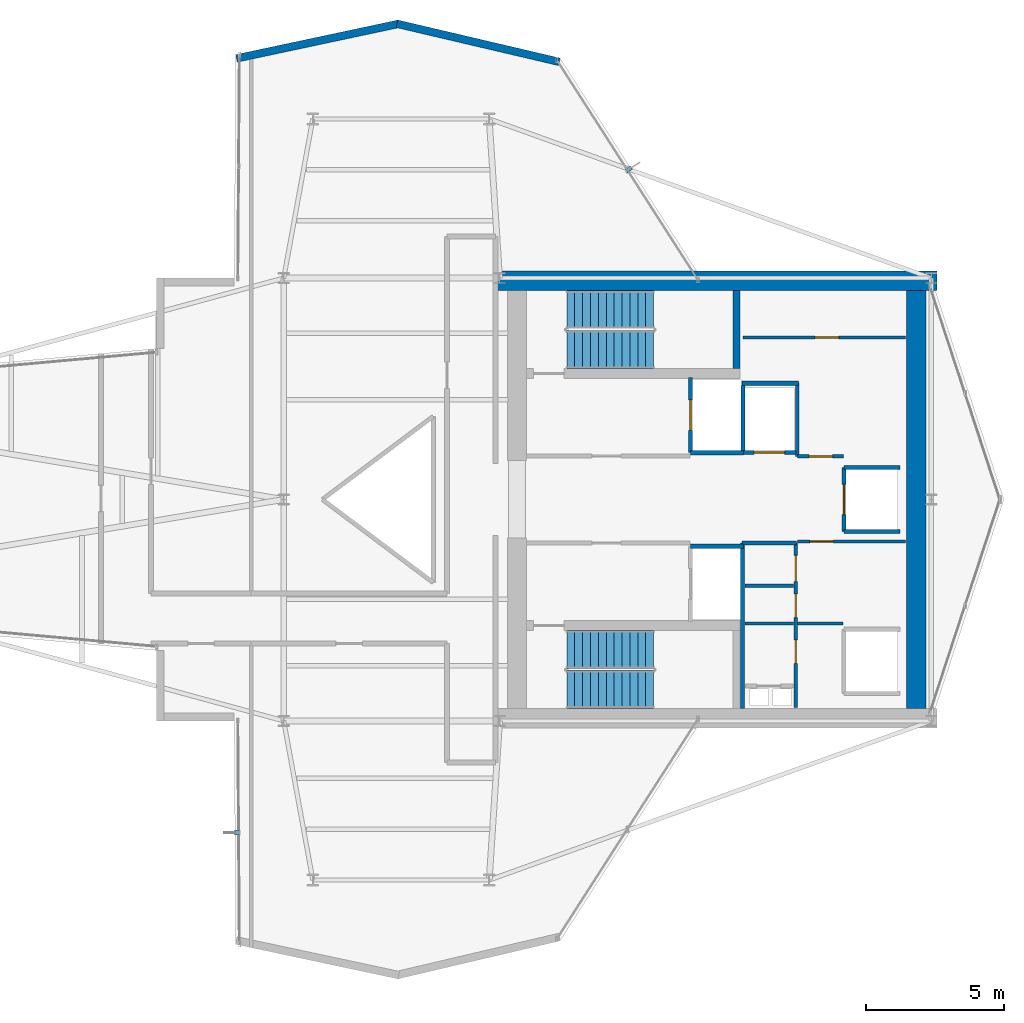
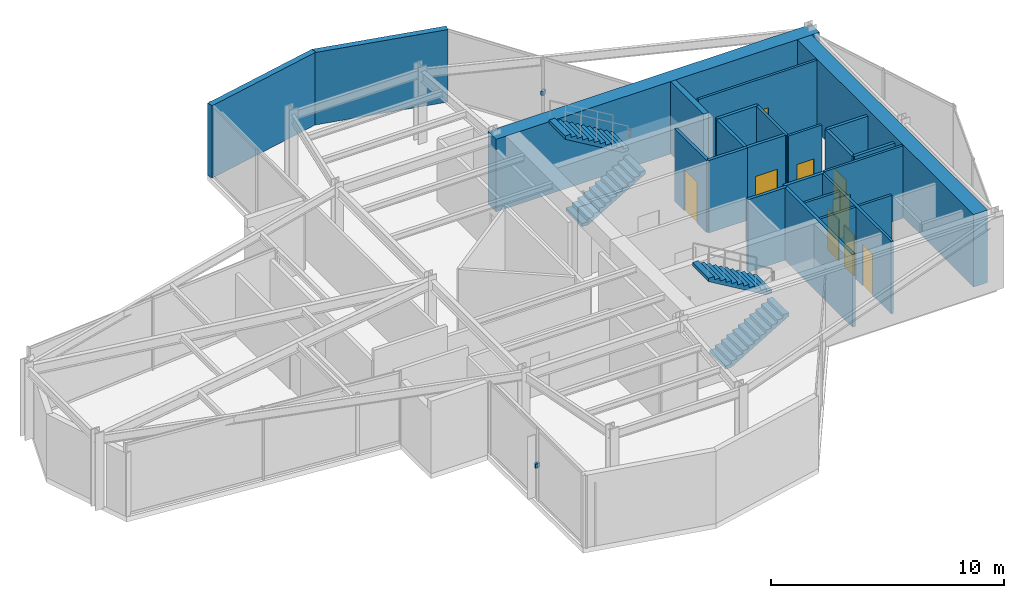
# One storey, part 22 of 23: 24 walls, 9 doors, 4 stair flights, 2 discrete accessories, 9 openings, 2 elements without a shape of their own.
"""IFC4 building model written with IfcOpenShell, lengths in metres."""

from ifc_helpers import new_model, si_unit, direction, frame, frame_2d, origin, origin_2d, place, context, subcontext, project, spatial, polyline, rectangle, outline, extrude, material, layer, layer_set, type_object, element, fill, aggregate, save


model = new_model("IFC4")

# Units and contexts
model_context = context("Model", 3, precision=1e-05, world=origin(), true_north=direction((0.0, 1.0)))
body_context = subcontext(model_context, "Body", "Model", "MODEL_VIEW")
ifc_project = project(units=[si_unit("LENGTHUNIT", "METRE"), si_unit("AREAUNIT", "SQUARE_METRE"), si_unit("VOLUMEUNIT", "CUBIC_METRE"), si_unit("PLANEANGLEUNIT", "RADIAN"), si_unit("MASSUNIT", "GRAM", prefix="KILO")], contexts=[model_context])

# Site, building, storey
site_placement = place(None, origin())
site = spatial("IfcSite", under=ifc_project, at=site_placement, CompositionType="ELEMENT")
building_placement = place(site_placement, origin())
building = spatial("IfcBuilding", under=site, at=building_placement, Name="Veymaron Broadcast Tower", CompositionType="ELEMENT")
storey_placement = place(building_placement, frame((0.0, 0.0, 191.85009765625)))
storey = spatial("IfcBuildingStorey", under=building, at=storey_placement, Name="L44", CompositionType="ELEMENT", Elevation=191.85009765625)

# Walls
ifc_material_1 = material(Name="Precast concrete C40/50", Category="concrete")
ifc_layer_1 = layer(ifc_material_1, 0.280029296875)
ifc_layer_set_1 = layer_set([ifc_layer_1], Name="Precast concrete C40/50")
wall_type_1 = type_object("IfcWallType", Name="WALL-EXT-280", PredefinedType="STANDARD", material=ifc_layer_set_1)
wall_1_placement = place(storey_placement, frame((41.15478515625, 39.813720703125, 0.0), z_axis=(0.0, 0.0, 1.0), x_axis=(-0.973574347184, 0.228370292517, 0.0)))
element("IfcWall", 1, at=wall_1_placement, inside=storey, type_object=wall_type_1, Name="L44 notched corner facade pier 6-1", PredefinedType="STANDARD", context=body_context, shape_type="SweptSolid", body=[
    extrude(rectangle(XDim=6.02099609375, YDim=0.280029296875, at=frame_2d((3.010498046875, 0.0))), origin(), (0.0, 0.0, 1.0), 3.789794921875),
])
wall_2_placement = place(storey_placement, frame((35.354248046875, 41.18798828125, 0.0), z_axis=(0.0, 0.0, 1.0), x_axis=(-0.978010564176, -0.208555355626, 0.0)))
element("IfcWall", 2, at=wall_2_placement, inside=storey, type_object=wall_type_1, Name="L44 notched corner facade pier 7-1", PredefinedType="STANDARD", context=body_context, shape_type="SweptSolid", body=[
    extrude(rectangle(XDim=5.99365234375, YDim=0.280029296875, at=frame_2d((2.996826171875, 0.0))), origin(), (0.0, 0.0, 1.0), 3.789794921875),
])

# Wall, opening, door
ifc_material_2 = material(Name="Gypsum fireboard and steel stud framing", Category="steel")
ifc_layer_2 = layer(ifc_material_2, 0.14990234375)
ifc_layer_set_2 = layer_set([ifc_layer_2], Name="Gypsum fireboard and steel stud framing")
wall_type_2 = type_object("IfcWallType", Name="WALL-FIRE-150", PredefinedType="PARTITIONING", material=ifc_layer_set_2)
wall_3_placement = place(storey_placement, frame((45.89501953125, 25.68994140625, 0.0), z_axis=(0.0, 0.0, 1.0), x_axis=(0.0, 1.0, 0.0)))
wall_3 = element("IfcWall", 3, at=wall_3_placement, inside=storey, type_object=wall_type_2, Name="L44 partition IW-L44-SHW-FFL-1", PredefinedType="PARTITIONING", context=body_context, shape_type="SweptSolid", body=[
    extrude(rectangle(XDim=2.719970703125, YDim=0.14990234375, at=frame_2d((1.35986328125, 0.0))), origin(), (0.0, 0.0, 1.0), 3.789794921875),
])
opening_1_placement = place(wall_3_placement, frame((0.81005859375, 0.0, 0.0)))
opening_1 = element("IfcOpeningElement", 4, at=opening_1_placement, cuts=wall_3, Name="Opening LD", PredefinedType="OPENING", context=body_context, shape_type="SweptSolid", body=[
    extrude(rectangle(XDim=1.10009765625, YDim=2.14990234375, at=frame_2d((0.550048828125, 1.074951171875))), frame((0.0, 0.0849609375, 0.0), z_axis=(0.0, -1.0, 0.0), x_axis=(1.0, 0.0, 0.0)), (0.0, 0.0, 1.0), 0.169921875),
])
ifc_material_3 = material(Name="Brushed stainless steel AISI 304", Category="steel")
door_type_1 = type_object("IfcDoorType", Name="DOOR-LIFT-1100", OperationType="DOUBLE_DOOR_SLIDING", PredefinedType="DOOR", material=ifc_material_3)
door_1_placement = place(opening_1_placement, frame((1.10009765625, 0.0, 0.0), z_axis=(0.0, 0.0, 1.0), x_axis=(-1.0, 0.0, 0.0)))
door_1 = element("IfcDoor", 5, at=door_1_placement, inside=storey, type_object=door_type_1, Name="L44 door LD-L44-FFL-1", OperationType="DOUBLE_DOOR_SLIDING", OverallHeight=2.14990234375, OverallWidth=1.10009765625, PredefinedType="DOOR", context=body_context, shape_type="SweptSolid", body=[
    extrude(rectangle(XDim=1.10009765625, YDim=2.14990234375, at=frame_2d((0.550048828125, 1.074951171875))), frame((0.0, 0.02490234375, 0.0), z_axis=(0.0, -1.0, 0.0), x_axis=(1.0, 0.0, 0.0)), (0.0, 0.0, 1.0), 0.050048828125),
])
fill(opening_1, door_1)

# Walls
for number, where, z_axis, x_axis, name in (
    (6, (45.89501953125, 25.68994140625, 0.0), (0.0, 0.0, 1.0), (1.0, 0.0, 0.0), "L44 partition IW-L44-SHS-FFL-1"),
    (7, (45.89501953125, 22.31005859375, 0.0), (0.0, 0.0, 1.0), (1.0, 0.0, 0.0), "L44 partition IW-L44-SHN-FFL-2"),
):
    element("IfcWall", number, at=place(storey_placement, frame(where, z_axis=z_axis, x_axis=x_axis)), inside=storey, type_object=wall_type_2, Name=name, PredefinedType="PARTITIONING", context=body_context, shape_type="SweptSolid", body=[
        extrude(rectangle(XDim=1.9150390625, YDim=0.14990234375, at=frame_2d((0.95751953125, 0.0))), origin(), (0.0, 0.0, 1.0), 3.789794921875),
    ])

# Wall, opening, door
wall_4_placement = place(storey_placement, frame((47.7900390625, 25.695068359375, 0.0), z_axis=(0.0, 0.0, 1.0), x_axis=(1.0, 0.0, 0.0)))
wall_4 = element("IfcWall", 8, at=wall_4_placement, inside=storey, type_object=wall_type_2, Name="L44 partition IW-L44-SHS-SL-1", PredefinedType="PARTITIONING", context=body_context, shape_type="SweptSolid", body=[
    extrude(rectangle(XDim=1.919921875, YDim=0.14990234375, at=frame_2d((0.9599609375, 0.0))), origin(), (0.0, 0.0, 1.0), 3.789794921875),
])
opening_2_placement = place(wall_4_placement, frame((0.409912109375, 0.0, 0.0)))
opening_2 = element("IfcOpeningElement", 9, at=opening_2_placement, cuts=wall_4, Name="Opening LD", PredefinedType="OPENING", context=body_context, shape_type="SweptSolid", body=[
    extrude(rectangle(XDim=1.10009765625, YDim=2.14990234375, at=frame_2d((0.550048828125, 1.074951171875))), frame((0.0, 0.0849609375, 0.0), z_axis=(0.0, -1.0, 0.0), x_axis=(1.0, 0.0, 0.0)), (0.0, 0.0, 1.0), 0.169921875),
])
door_2_placement = place(opening_2_placement, frame((1.10009765625, 0.0, 0.0), z_axis=(0.0, 0.0, 1.0), x_axis=(-1.0, 0.0, 0.0)))
door_2 = element("IfcDoor", 10, at=door_2_placement, inside=storey, type_object=door_type_1, Name="L44 door LD-L44-SL-1", OperationType="DOUBLE_DOOR_SLIDING", OverallHeight=2.14990234375, OverallWidth=1.10009765625, PredefinedType="DOOR", context=body_context, shape_type="SweptSolid", body=[
    extrude(rectangle(XDim=1.10009765625, YDim=2.14990234375, at=frame_2d((0.550048828125, 1.074951171875))), frame((0.0, 0.02490234375, 0.0), z_axis=(0.0, -1.0, 0.0), x_axis=(1.0, 0.0, 0.0)), (0.0, 0.0, 1.0), 0.050048828125),
])
fill(opening_2, door_2)

# Wall
wall_5_placement = place(storey_placement, frame((47.7900390625, 25.695068359375, 0.0), z_axis=(0.0, 0.0, 1.0), x_axis=(0.0, 1.0, 0.0)))
element("IfcWall", 11, at=wall_5_placement, inside=storey, type_object=wall_type_2, Name="L44 partition IW-L44-SHW-SL-1", PredefinedType="PARTITIONING", context=body_context, shape_type="SweptSolid", body=[
    extrude(rectangle(XDim=2.4150390625, YDim=0.14990234375, at=frame_2d((1.20751953125, 0.0))), origin(), (0.0, 0.0, 1.0), 3.789794921875),
])

# Wall, opening, door
wall_6_placement = place(storey_placement, frame((51.445068359375, 22.840087890625, 0.0), z_axis=(0.0, 0.0, 1.0), x_axis=(0.0, 1.0, 0.0)))
wall_6 = element("IfcWall", 12, at=wall_6_placement, inside=storey, type_object=wall_type_2, Name="L44 partition IW-L44-SHW-PM3", PredefinedType="PARTITIONING", context=body_context, shape_type="SweptSolid", body=[
    extrude(rectangle(XDim=2.31982421875, YDim=0.14990234375, at=frame_2d((1.159912109375, 0.0))), origin(), (0.0, 0.0, 1.0), 3.789794921875),
])
opening_3_placement = place(wall_6_placement, frame((0.610107421875, 0.0, 0.0)))
opening_3 = element("IfcOpeningElement", 13, at=opening_3_placement, cuts=wall_6, Name="Opening LD", PredefinedType="OPENING", context=body_context, shape_type="SweptSolid", body=[
    extrude(rectangle(XDim=1.10009765625, YDim=2.14990234375, at=frame_2d((0.550048828125, 1.074951171875))), frame((0.0, 0.0849609375, 0.0), z_axis=(0.0, -1.0, 0.0), x_axis=(1.0, 0.0, 0.0)), (0.0, 0.0, 1.0), 0.169921875),
])
door_3_placement = place(opening_3_placement, frame((1.10009765625, 0.0, 0.0), z_axis=(0.0, 0.0, 1.0), x_axis=(-1.0, 0.0, 0.0)))
door_3 = element("IfcDoor", 14, at=door_3_placement, inside=storey, type_object=door_type_1, Name="L44 door LD-L44-PM3", OperationType="DOUBLE_DOOR_SLIDING", OverallHeight=2.14990234375, OverallWidth=1.10009765625, PredefinedType="DOOR", context=body_context, shape_type="SweptSolid", body=[
    extrude(rectangle(XDim=1.10009765625, YDim=2.14990234375, at=frame_2d((0.550048828125, 1.074951171875))), frame((0.0, 0.02490234375, 0.0), z_axis=(0.0, -1.0, 0.0), x_axis=(1.0, 0.0, 0.0)), (0.0, 0.0, 1.0), 0.050048828125),
])
fill(opening_3, door_3)

# Walls
for number, where, z_axis, x_axis, name in (
    (15, (51.445068359375, 22.840087890625, 0.0), (0.0, 0.0, 1.0), (1.0, 0.0, 0.0), "L44 partition IW-L44-SHS-PM3"),
    (16, (51.445068359375, 25.159912109375, 0.0), (0.0, 0.0, 1.0), (1.0, 0.0, 0.0), "L44 partition IW-L44-SHN-PM3"),
):
    element("IfcWall", number, at=place(storey_placement, frame(where, z_axis=z_axis, x_axis=x_axis)), inside=storey, type_object=wall_type_2, Name=name, PredefinedType="PARTITIONING", context=body_context, shape_type="SweptSolid", body=[
        extrude(rectangle(XDim=2.014892578125, YDim=0.14990234375, at=frame_2d((1.00732421875, 0.0))), origin(), (0.0, 0.0, 1.0), 3.789794921875),
    ])
wall_7_placement = place(storey_placement, frame((47.760009765625, 22.425048828125, 0.0), z_axis=(0.0, 0.0, 1.0), x_axis=(1.0, 0.0, 0.0)))
element("IfcWall", 17, at=wall_7_placement, inside=storey, type_object=wall_type_2, Name="L44 partition IW-L44-SM-N", PredefinedType="PARTITIONING", context=body_context, shape_type="SweptSolid", body=[
    extrude(rectangle(XDim=1.9599609375, YDim=0.14990234375, at=frame_2d((0.97998046875, 0.0))), origin(), (0.0, 0.0, 1.0), 3.789794921875),
])
wall_8_placement = place(storey_placement, frame((47.780029296875, 16.449951171875, 0.0), z_axis=(0.0, 0.0, 1.0), x_axis=(0.0, 1.0, 0.0)))
element("IfcWall", 18, at=wall_8_placement, inside=storey, type_object=wall_type_2, Name="L44 partition IW-L44-SM-W", PredefinedType="PARTITIONING", context=body_context, shape_type="SweptSolid", body=[
    extrude(rectangle(XDim=5.97509765625, YDim=0.14990234375, at=frame_2d((2.987548828125, 0.0))), origin(), (0.0, 0.0, 1.0), 3.789794921875),
])
wall_9_placement = place(storey_placement, frame((47.760009765625, 28.199951171875, 0.0), z_axis=(0.0, 0.0, 1.0), x_axis=(1.0, 0.0, 0.0)))
element("IfcWall", 19, at=wall_9_placement, inside=storey, type_object=wall_type_2, Name="L44 partition IW-L44-F2-SW", PredefinedType="PARTITIONING", context=body_context, shape_type="SweptSolid", body=[
    extrude(rectangle(XDim=2.0400390625, YDim=0.14990234375, at=frame_2d((1.02001953125, 0.0))), origin(), (0.0, 0.0, 1.0), 3.789794921875),
])
ifc_material_4 = material(Name="Acoustic gypsum board and galvanized stud", Category="gypsum")
ifc_layer_3 = layer(ifc_material_4, 0.1201171875)
ifc_layer_set_3 = layer_set([ifc_layer_3], Name="Acoustic gypsum board and galvanized stud")
wall_type_3 = type_object("IfcWallType", Name="WALL-PART-120", PredefinedType="PARTITIONING", material=ifc_layer_set_3)
for number, where, z_axis, x_axis, name in (
    (20, (47.860107421875, 19.52001953125, 0.0), (0.0, 0.0, 1.0), (1.0, 0.0, 0.0), "L44 partition IW-L44-SM-D1"),
    (21, (47.860107421875, 20.8798828125, 0.0), (0.0, 0.0, 1.0), (1.0, 0.0, 0.0), "L44 partition IW-L44-SM-D2"),
):
    element("IfcWall", number, at=place(storey_placement, frame(where, z_axis=z_axis, x_axis=x_axis)), inside=storey, type_object=wall_type_3, Name=name, PredefinedType="PARTITIONING", context=body_context, shape_type="SweptSolid", body=[
        extrude(rectangle(XDim=1.760009765625, YDim=0.1201171875, at=frame_2d((0.8798828125, 0.0))), origin(), (0.0, 0.0, 1.0), 3.789794921875),
    ])

# Wall, openings, doors
wall_10_placement = place(storey_placement, frame((49.699951171875, 16.47998046875, 0.0), z_axis=(0.0, 0.0, 1.0), x_axis=(0.0, 1.0, 0.0)))
wall_10 = element("IfcWall", 22, at=wall_10_placement, inside=storey, type_object=wall_type_3, Name="L44 partition IW-L44-SM-E", PredefinedType="PARTITIONING", context=body_context, shape_type="SweptSolid", body=[
    extrude(rectangle(XDim=5.945068359375, YDim=0.1201171875, at=frame_2d((2.97265625, 0.0))), origin(), (0.0, 0.0, 1.0), 3.789794921875),
])
opening_4_placement = place(wall_10_placement, frame((1.60009765625, 0.0, 0.0)))
opening_4 = element("IfcOpeningElement", 23, at=opening_4_placement, cuts=wall_10, Name="Opening ID-WC1", PredefinedType="OPENING", context=body_context, shape_type="SweptSolid", body=[
    extrude(rectangle(XDim=0.85009765625, YDim=2.14990234375, at=frame_2d((0.425048828125, 1.074951171875))), frame((0.0, 0.070068359375, 0.0), z_axis=(0.0, -1.0, 0.0), x_axis=(1.0, 0.0, 0.0)), (0.0, 0.0, 1.0), 0.14013671875),
])
opening_5_placement = place(wall_10_placement, frame((3.25, 0.0, 0.0)))
opening_5 = element("IfcOpeningElement", 24, at=opening_5_placement, cuts=wall_10, Name="Opening ID-WC1", PredefinedType="OPENING", context=body_context, shape_type="SweptSolid", body=[
    extrude(rectangle(XDim=0.85009765625, YDim=2.14990234375, at=frame_2d((0.425048828125, 1.074951171875))), frame((0.0, 0.070068359375, 0.0), z_axis=(0.0, -1.0, 0.0), x_axis=(1.0, 0.0, 0.0)), (0.0, 0.0, 1.0), 0.14013671875),
])
opening_6_placement = place(wall_10_placement, frame((4.550048828125, 0.0, 0.0)))
opening_6 = element("IfcOpeningElement", 25, at=opening_6_placement, cuts=wall_10, Name="Opening ID-RM1", PredefinedType="OPENING", context=body_context, shape_type="SweptSolid", body=[
    extrude(rectangle(XDim=0.949951171875, YDim=2.14990234375, at=frame_2d((0.47509765625, 1.074951171875))), frame((0.0, 0.070068359375, 0.0), z_axis=(0.0, -1.0, 0.0), x_axis=(1.0, 0.0, 0.0)), (0.0, 0.0, 1.0), 0.14013671875),
])
ifc_material_5 = material(Name="Moisture-resistant high-pressure laminate timber", Category="wood")
door_type_2 = type_object("IfcDoorType", Name="DOOR-INT-850", OperationType="NOTDEFINED", PredefinedType="DOOR", material=ifc_material_5)
door_4_placement = place(opening_4_placement, frame((0.85009765625, 0.0, 0.0), z_axis=(0.0, 0.0, 1.0), x_axis=(-1.0, 0.0, 0.0)))
door_4 = element("IfcDoor", 26, at=door_4_placement, inside=storey, type_object=door_type_2, Name="L44 door DR-L44-JST", OperationType="SINGLE_SWING_LEFT", OverallHeight=2.14990234375, OverallWidth=0.85009765625, PredefinedType="DOOR", context=body_context, shape_type="SweptSolid", body=[
    extrude(rectangle(XDim=0.85009765625, YDim=2.14990234375, at=frame_2d((0.425048828125, 1.074951171875))), frame((0.0, 0.02490234375, 0.0), z_axis=(0.0, -1.0, 0.0), x_axis=(1.0, 0.0, 0.0)), (0.0, 0.0, 1.0), 0.050048828125),
])
fill(opening_4, door_4)
door_5_placement = place(opening_5_placement, frame((0.85009765625, 0.0, 0.0), z_axis=(0.0, 0.0, 1.0), x_axis=(-1.0, 0.0, 0.0)))
door_5 = element("IfcDoor", 27, at=door_5_placement, inside=storey, type_object=door_type_2, Name="L44 door DR-L44-SWC", OperationType="SINGLE_SWING_RIGHT", OverallHeight=2.14990234375, OverallWidth=0.85009765625, PredefinedType="DOOR", context=body_context, shape_type="SweptSolid", body=[
    extrude(rectangle(XDim=0.85009765625, YDim=2.14990234375, at=frame_2d((0.425048828125, 1.074951171875))), frame((0.0, 0.02490234375, 0.0), z_axis=(0.0, -1.0, 0.0), x_axis=(1.0, 0.0, 0.0)), (0.0, 0.0, 1.0), 0.050048828125),
])
fill(opening_5, door_5)
ifc_material_6 = material(Name="Acoustic solid-core European oak veneer timber", Category="wood")
door_type_3 = type_object("IfcDoorType", Name="DOOR-INT-950", OperationType="NOTDEFINED", PredefinedType="DOOR", material=ifc_material_6)
door_6_placement = place(opening_6_placement, frame((0.949951171875, 0.0, 0.0), z_axis=(0.0, 0.0, 1.0), x_axis=(-1.0, 0.0, 0.0)))
door_6 = element("IfcDoor", 28, at=door_6_placement, inside=storey, type_object=door_type_3, Name="L44 door DR-L44-AWC", OperationType="SINGLE_SWING_LEFT", OverallHeight=2.14990234375, OverallWidth=0.949951171875, PredefinedType="DOOR", context=body_context, shape_type="SweptSolid", body=[
    extrude(rectangle(XDim=0.949951171875, YDim=2.14990234375, at=frame_2d((0.47509765625, 1.074951171875))), frame((0.0, 0.02490234375, 0.0), z_axis=(0.0, -1.0, 0.0), x_axis=(1.0, 0.0, 0.0)), (0.0, 0.0, 1.0), 0.050048828125),
])
fill(opening_6, door_6)

# Wall, opening, door
wall_11_placement = place(storey_placement, frame((49.760009765625, 22.47998046875, 0.0), z_axis=(0.0, 0.0, 1.0), x_axis=(1.0, 0.0, 0.0)))
wall_11 = element("IfcWall", 29, at=wall_11_placement, inside=storey, type_object=wall_type_3, Name="L44 partition IW-L44-F2S-N", PredefinedType="PARTITIONING", context=body_context, shape_type="SweptSolid", body=[
    extrude(rectangle(XDim=3.89990234375, YDim=0.1201171875, at=frame_2d((1.949951171875, 0.0))), origin(), (0.0, 0.0, 1.0), 3.789794921875),
])
opening_7_placement = place(wall_11_placement, frame((0.449951171875, 0.0, 0.0)))
opening_7 = element("IfcOpeningElement", 30, at=opening_7_placement, cuts=wall_11, Name="Opening ID-WC1", PredefinedType="OPENING", context=body_context, shape_type="SweptSolid", body=[
    extrude(rectangle(XDim=0.85009765625, YDim=2.14990234375, at=frame_2d((0.425048828125, 1.074951171875))), frame((0.0, 0.070068359375, 0.0), z_axis=(0.0, -1.0, 0.0), x_axis=(1.0, 0.0, 0.0)), (0.0, 0.0, 1.0), 0.14013671875),
])
door_7_placement = place(opening_7_placement, frame((0.85009765625, 0.0, 0.0), z_axis=(0.0, 0.0, 1.0), x_axis=(-1.0, 0.0, 0.0)))
door_7 = element("IfcDoor", 31, at=door_7_placement, inside=storey, type_object=door_type_2, Name="L44 door DR-L44-F2S", OperationType="SINGLE_SWING_LEFT", OverallHeight=2.14990234375, OverallWidth=0.85009765625, PredefinedType="DOOR", context=body_context, shape_type="SweptSolid", body=[
    extrude(rectangle(XDim=0.85009765625, YDim=2.14990234375, at=frame_2d((0.425048828125, 1.074951171875))), frame((0.0, 0.02490234375, 0.0), z_axis=(0.0, -1.0, 0.0), x_axis=(1.0, 0.0, 0.0)), (0.0, 0.0, 1.0), 0.050048828125),
])
fill(opening_7, door_7)

# Walls
wall_12_placement = place(storey_placement, frame((49.760009765625, 19.52001953125, 0.0), z_axis=(0.0, 0.0, 1.0), x_axis=(1.0, 0.0, 0.0)))
element("IfcWall", 32, at=wall_12_placement, inside=storey, type_object=wall_type_3, Name="L44 partition IW-L44-F2S-S", PredefinedType="PARTITIONING", context=body_context, shape_type="SweptSolid", body=[
    extrude(rectangle(XDim=1.639892578125, YDim=0.1201171875, at=frame_2d((0.81982421875, 0.0))), origin(), (0.0, 0.0, 1.0), 3.789794921875),
])
wall_13_placement = place(storey_placement, frame((49.760009765625, 25.56005859375, 0.0), z_axis=(0.0, 0.0, 1.0), x_axis=(0.0, 1.0, 0.0)))
element("IfcWall", 33, at=wall_13_placement, inside=storey, type_object=wall_type_3, Name="L44 partition IW-L44-F2-W1", PredefinedType="PARTITIONING", context=body_context, shape_type="SweptSolid", body=[
    extrude(rectangle(XDim=2.659912109375, YDim=0.1201171875, at=frame_2d((1.330078125, 0.0))), origin(), (0.0, 0.0, 1.0), 3.789794921875),
])

# Wall, opening, door
wall_14_placement = place(storey_placement, frame((49.760009765625, 25.56005859375, 0.0), z_axis=(0.0, 0.0, 1.0), x_axis=(1.0, 0.0, 0.0)))
wall_14 = element("IfcWall", 34, at=wall_14_placement, inside=storey, type_object=wall_type_3, Name="L44 partition IW-L44-F2-S", PredefinedType="PARTITIONING", context=body_context, shape_type="SweptSolid", body=[
    extrude(rectangle(XDim=1.659912109375, YDim=0.1201171875, at=frame_2d((0.830078125, 0.0))), origin(), (0.0, 0.0, 1.0), 3.789794921875),
])
opening_8_placement = place(wall_14_placement, frame((0.419921875, 0.0, 0.0)))
opening_8 = element("IfcOpeningElement", 35, at=opening_8_placement, cuts=wall_14, Name="Opening ID-WC1", PredefinedType="OPENING", context=body_context, shape_type="SweptSolid", body=[
    extrude(rectangle(XDim=0.85009765625, YDim=2.14990234375, at=frame_2d((0.425048828125, 1.074951171875))), frame((0.0, 0.070068359375, 0.0), z_axis=(0.0, -1.0, 0.0), x_axis=(1.0, 0.0, 0.0)), (0.0, 0.0, 1.0), 0.14013671875),
])
door_8_placement = place(opening_8_placement, origin())
door_8 = element("IfcDoor", 36, at=door_8_placement, inside=storey, type_object=door_type_2, Name="L44 door DR-L44-F2A", OperationType="SINGLE_SWING_LEFT", OverallHeight=2.14990234375, OverallWidth=0.85009765625, PredefinedType="DOOR", context=body_context, shape_type="SweptSolid", body=[
    extrude(rectangle(XDim=0.85009765625, YDim=2.14990234375, at=frame_2d((0.425048828125, 1.074951171875))), frame((0.0, 0.02490234375, 0.0), z_axis=(0.0, -1.0, 0.0), x_axis=(1.0, 0.0, 0.0)), (0.0, 0.0, 1.0), 0.050048828125),
])
fill(opening_8, door_8)

wall_15_placement = place(storey_placement, frame((47.800048828125, 29.85009765625, 0.0), z_axis=(0.0, 0.0, 1.0), x_axis=(1.0, 0.0, 0.0)))
wall_15 = element("IfcWall", 37, at=wall_15_placement, inside=storey, type_object=wall_type_3, Name="L44 partition IW-L44-F2-M", PredefinedType="PARTITIONING", context=body_context, shape_type="SweptSolid", body=[
    extrude(rectangle(XDim=5.85986328125, YDim=0.1201171875, at=frame_2d((2.929931640625, 0.0))), origin(), (0.0, 0.0, 1.0), 3.789794921875),
])
opening_9_placement = place(wall_15_placement, frame((2.60009765625, 0.0, 0.0)))
opening_9 = element("IfcOpeningElement", 38, at=opening_9_placement, cuts=wall_15, Name="Opening ID-WC1", PredefinedType="OPENING", context=body_context, shape_type="SweptSolid", body=[
    extrude(rectangle(XDim=0.85009765625, YDim=2.14990234375, at=frame_2d((0.425048828125, 1.074951171875))), frame((0.0, 0.070068359375, 0.0), z_axis=(0.0, -1.0, 0.0), x_axis=(1.0, 0.0, 0.0)), (0.0, 0.0, 1.0), 0.14013671875),
])
door_9_placement = place(opening_9_placement, origin())
door_9 = element("IfcDoor", 39, at=door_9_placement, inside=storey, type_object=door_type_2, Name="L44 door DR-L44-F2B", OperationType="SINGLE_SWING_LEFT", OverallHeight=2.14990234375, OverallWidth=0.85009765625, PredefinedType="DOOR", context=body_context, shape_type="SweptSolid", body=[
    extrude(rectangle(XDim=0.85009765625, YDim=2.14990234375, at=frame_2d((0.425048828125, 1.074951171875))), frame((0.0, 0.02490234375, 0.0), z_axis=(0.0, -1.0, 0.0), x_axis=(1.0, 0.0, 0.0)), (0.0, 0.0, 1.0), 0.050048828125),
])
fill(opening_9, door_9)

# Walls
ifc_material_7 = material(Name="Concrete C50/60", Category="concrete")
ifc_layer_4 = layer(ifc_material_7, 0.25)
ifc_layer_set_4 = layer_set([ifc_layer_4], Name="Concrete C50/60")
wall_type_4 = type_object("IfcWallType", Name="WALL-SHEAR-250", PredefinedType="SHEAR", material=ifc_layer_set_4)
wall_16_placement = place(storey_placement, frame((47.56494140625, 28.72998046875, 0.0), z_axis=(0.0, 0.0, 1.0), x_axis=(0.0, 1.0, 0.0)))
element("IfcWall", 40, at=wall_16_placement, inside=storey, type_object=wall_type_4, Name="L44 Core Wall north stair east shear", PredefinedType="SHEAR", context=body_context, shape_type="SweptSolid", body=[
    extrude(rectangle(XDim=2.820068359375, YDim=0.25, at=frame_2d((1.41015625, 0.0))), origin(), (0.0, 0.0, 1.0), 3.789794921875),
])
ifc_material_8 = material(Name="Concrete C60/75", Category="concrete")
ifc_layer_5 = layer(ifc_material_8, 0.699951171875)
ifc_layer_set_5 = layer_set([ifc_layer_5], Name="Concrete C60/75")
wall_type_5 = type_object("IfcWallType", Name="WALL-SHEAR-700", PredefinedType="SHEAR", material=ifc_layer_set_5)
wall_17_placement = place(storey_placement, frame((38.800048828125, 31.89990234375, 0.0), z_axis=(0.0, 0.0, 1.0), x_axis=(1.0, 0.0, 0.0)))
element("IfcWall", 41, at=wall_17_placement, inside=storey, type_object=wall_type_5, Name="L44 Core Wall north shear", PredefinedType="SHEAR", context=body_context, shape_type="SweptSolid", body=[
    extrude(rectangle(XDim=16.0, YDim=0.699951171875, at=frame_2d((8.0, 0.0))), origin(), (0.0, 0.0, 1.0), 3.789794921875),
])
wall_18_placement = place(storey_placement, frame((54.050048828125, 16.449951171875, 0.0), z_axis=(0.0, 0.0, 1.0), x_axis=(0.0, 1.0, 0.0)))
element("IfcWall", 42, at=wall_18_placement, inside=storey, type_object=wall_type_5, Name="L44 Core Wall east shear", PredefinedType="SHEAR", context=body_context, shape_type="SweptSolid", body=[
    extrude(rectangle(XDim=15.10009765625, YDim=0.699951171875, at=frame_2d((7.550048828125, 0.0))), origin(), (0.0, 0.0, 1.0), 3.789794921875),
])

# Stair, stair flights
stair_type_1 = type_object("IfcStairType", Name="STAIR-CORE-1", PredefinedType="HALF_TURN_STAIR", material=ifc_material_7)
stair_1_placement = place(storey_placement, origin())
stair_1 = element("IfcStair", 43, at=stair_1_placement, inside=storey, type_object=stair_type_1, Name="L44 North protected dog-leg exit stair ST1", PredefinedType="HALF_TURN_STAIR")
ifc_material_9 = material(Name="Precast concrete C50/60", Category="concrete")
stair_flight_type = type_object("IfcStairFlightType", Name="FLT-CORE-RC", PredefinedType="STRAIGHT", material=ifc_material_9)
stair_flight_1_placement = place(storey_placement, frame((41.429931640625, 29.419921875, 0.0), z_axis=(0.0, 0.0, 1.0), x_axis=(1.0, 0.0, 0.0)))
stair_flight_1 = element("IfcStairFlight", 44, at=stair_flight_1_placement, type_object=stair_flight_type, Name="ST1 flight 1", NumberOfRisers=12, NumberOfTreads=11, PredefinedType="STRAIGHT", RiserHeight=0.16875, TreadLength=0.285, context=body_context, shape_type="SweptSolid", body=[
    extrude(outline(polyline([(0.0, 0.0), (0.0, 0.168701171875), (0.284912109375, 0.168701171875), (0.284912109375, 0.33740234375), (0.570068359375, 0.33740234375), (0.570068359375, 0.50634765625), (0.85498046875, 0.50634765625), (0.85498046875, 0.675048828125), (1.139892578125, 0.675048828125), (1.139892578125, 0.84375), (1.425048828125, 0.84375), (1.425048828125, 1.012451171875), (1.7099609375, 1.012451171875), (1.7099609375, 1.18115234375), (1.9951171875, 1.18115234375), (1.9951171875, 1.35009765625), (2.280029296875, 1.35009765625), (2.280029296875, 1.518798828125), (2.56494140625, 1.518798828125), (2.56494140625, 1.6875), (2.85009765625, 1.6875), (2.85009765625, 1.856201171875), (3.135009765625, 1.856201171875), (3.135009765625, 2.02490234375), (3.135009765625, 1.68212890625), (0.294189453125, 0.0), (0.0, 0.0)])), frame((0.0, 0.68994140625, 0.0), z_axis=(0.0, -1.0, 0.0), x_axis=(1.0, 0.0, 0.0)), (0.0, 0.0, 1.0), 1.3798828125),
])
stair_flight_2_placement = place(storey_placement, frame((44.56494140625, 30.860107421875, 2.02490234375), z_axis=(0.0, 0.0, 1.0), x_axis=(-1.0, 0.0, 0.0)))
stair_flight_2 = element("IfcStairFlight", 45, at=stair_flight_2_placement, type_object=stair_flight_type, Name="ST1 flight 2", NumberOfRisers=12, NumberOfTreads=11, PredefinedType="STRAIGHT", RiserHeight=0.16875, TreadLength=0.285, context=body_context, shape_type="SweptSolid", body=[
    extrude(outline(polyline([(0.0, 0.0), (0.0, 0.168701171875), (0.284912109375, 0.168701171875), (0.284912109375, 0.33740234375), (0.570068359375, 0.33740234375), (0.570068359375, 0.50634765625), (0.85498046875, 0.50634765625), (0.85498046875, 0.675048828125), (1.139892578125, 0.675048828125), (1.139892578125, 0.84375), (1.425048828125, 0.84375), (1.425048828125, 1.012451171875), (1.7099609375, 1.012451171875), (1.7099609375, 1.18115234375), (1.9951171875, 1.18115234375), (1.9951171875, 1.35009765625), (2.280029296875, 1.35009765625), (2.280029296875, 1.518798828125), (2.56494140625, 1.518798828125), (2.56494140625, 1.6875), (2.85009765625, 1.6875), (2.85009765625, 1.856201171875), (3.135009765625, 1.856201171875), (3.135009765625, 2.02490234375), (3.135009765625, 1.68212890625), (0.294189453125, 0.0), (0.0, 0.0)])), frame((0.0, 0.68994140625, 0.0), z_axis=(0.0, -1.0, 0.0), x_axis=(1.0, 0.0, 0.0)), (0.0, 0.0, 1.0), 1.3798828125),
])
aggregate(stair_1, [stair_flight_1, stair_flight_2])

stair_type_2 = type_object("IfcStairType", Name="STAIR-CORE-2", PredefinedType="HALF_TURN_STAIR", material=ifc_material_7)
stair_2_placement = place(storey_placement, origin())
stair_2 = element("IfcStair", 46, at=stair_2_placement, inside=storey, type_object=stair_type_2, Name="L44 South protected dog-leg exit stair ST2", PredefinedType="HALF_TURN_STAIR")
stair_flight_3_placement = place(storey_placement, frame((41.429931640625, 17.139892578125, 0.0), z_axis=(0.0, 0.0, 1.0), x_axis=(1.0, 0.0, 0.0)))
stair_flight_3 = element("IfcStairFlight", 47, at=stair_flight_3_placement, type_object=stair_flight_type, Name="ST2 flight 1", NumberOfRisers=12, NumberOfTreads=11, PredefinedType="STRAIGHT", RiserHeight=0.16875, TreadLength=0.285, context=body_context, shape_type="SweptSolid", body=[
    extrude(outline(polyline([(0.0, 0.0), (0.0, 0.168701171875), (0.284912109375, 0.168701171875), (0.284912109375, 0.33740234375), (0.570068359375, 0.33740234375), (0.570068359375, 0.50634765625), (0.85498046875, 0.50634765625), (0.85498046875, 0.675048828125), (1.139892578125, 0.675048828125), (1.139892578125, 0.84375), (1.425048828125, 0.84375), (1.425048828125, 1.012451171875), (1.7099609375, 1.012451171875), (1.7099609375, 1.18115234375), (1.9951171875, 1.18115234375), (1.9951171875, 1.35009765625), (2.280029296875, 1.35009765625), (2.280029296875, 1.518798828125), (2.56494140625, 1.518798828125), (2.56494140625, 1.6875), (2.85009765625, 1.6875), (2.85009765625, 1.856201171875), (3.135009765625, 1.856201171875), (3.135009765625, 2.02490234375), (3.135009765625, 1.68212890625), (0.294189453125, 0.0), (0.0, 0.0)])), frame((0.0, 0.68994140625, 0.0), z_axis=(0.0, -1.0, 0.0), x_axis=(1.0, 0.0, 0.0)), (0.0, 0.0, 1.0), 1.3798828125),
])
stair_flight_4_placement = place(storey_placement, frame((44.56494140625, 18.580078125, 2.02490234375), z_axis=(0.0, 0.0, 1.0), x_axis=(-1.0, 0.0, 0.0)))
stair_flight_4 = element("IfcStairFlight", 48, at=stair_flight_4_placement, type_object=stair_flight_type, Name="ST2 flight 2", NumberOfRisers=12, NumberOfTreads=11, PredefinedType="STRAIGHT", RiserHeight=0.16875, TreadLength=0.285, context=body_context, shape_type="SweptSolid", body=[
    extrude(outline(polyline([(0.0, 0.0), (0.0, 0.168701171875), (0.284912109375, 0.168701171875), (0.284912109375, 0.33740234375), (0.570068359375, 0.33740234375), (0.570068359375, 0.50634765625), (0.85498046875, 0.50634765625), (0.85498046875, 0.675048828125), (1.139892578125, 0.675048828125), (1.139892578125, 0.84375), (1.425048828125, 0.84375), (1.425048828125, 1.012451171875), (1.7099609375, 1.012451171875), (1.7099609375, 1.18115234375), (1.9951171875, 1.18115234375), (1.9951171875, 1.35009765625), (2.280029296875, 1.35009765625), (2.280029296875, 1.518798828125), (2.56494140625, 1.518798828125), (2.56494140625, 1.6875), (2.85009765625, 1.6875), (2.85009765625, 1.856201171875), (3.135009765625, 1.856201171875), (3.135009765625, 2.02490234375), (3.135009765625, 1.68212890625), (0.294189453125, 0.0), (0.0, 0.0)])), frame((0.0, 0.68994140625, 0.0), z_axis=(0.0, -1.0, 0.0), x_axis=(1.0, 0.0, 0.0)), (0.0, 0.0, 1.0), 1.3798828125),
])
aggregate(stair_2, [stair_flight_3, stair_flight_4])

# Discrete accessories
ifc_material_10 = material(Name="Austenitic stainless steel AISI 316L", Category="steel")
ifc_layer_6 = layer(ifc_material_10, 0.1201171875)
ifc_layer_set_6 = layer_set([ifc_layer_6], Name="Austenitic stainless steel AISI 316L")
discrete_accessory_type = type_object("IfcDiscreteAccessoryType", Name="ACC-BRKT-SS1", PredefinedType="BRACKET", material=ifc_layer_set_6)
for number, where, z_axis, x_axis, name in (
    (49, (43.66943359375, 35.931884765625, 1.78515625), (0.0, 0.0, 1.0), (0.841689886147, 0.539961235236, 0.0), "CW-L44-E5-1 fin bracket 1"),
    (50, (29.514404296875, 11.963134765625, 1.78515625), (0.0, 0.0, 1.0), (-0.999974521755, -0.007138336016, 0.0), "CW-L44-E17-1 fin bracket 1"),
):
    element("IfcDiscreteAccessory", number, at=place(storey_placement, frame(where, z_axis=z_axis, x_axis=x_axis)), inside=storey, type_object=discrete_accessory_type, Name=name, PredefinedType="BRACKET", context=body_context, shape_type="SweptSolid", body=[
        extrude(rectangle(XDim=0.219970703125, YDim=0.139892578125, at=origin_2d()), origin(), (0.0, 0.0, 1.0), 0.219970703125),
    ])

save(model, "model.ifc")
